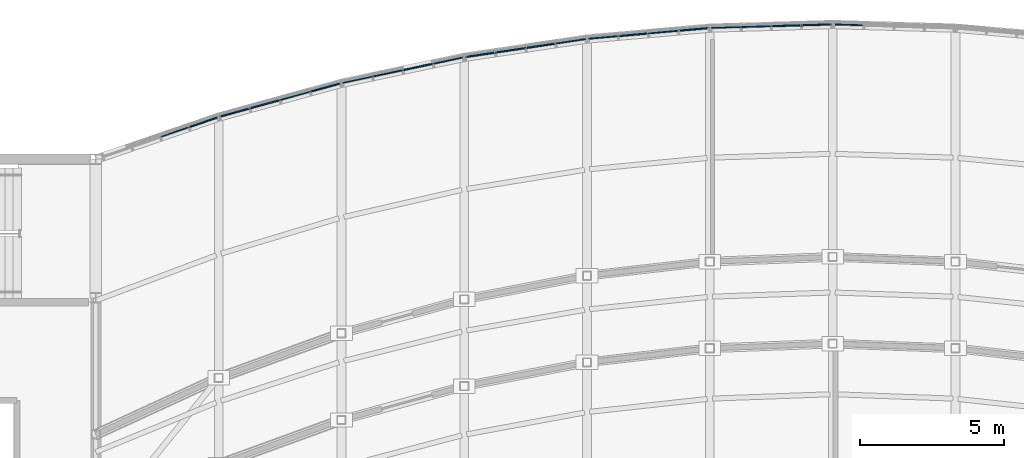
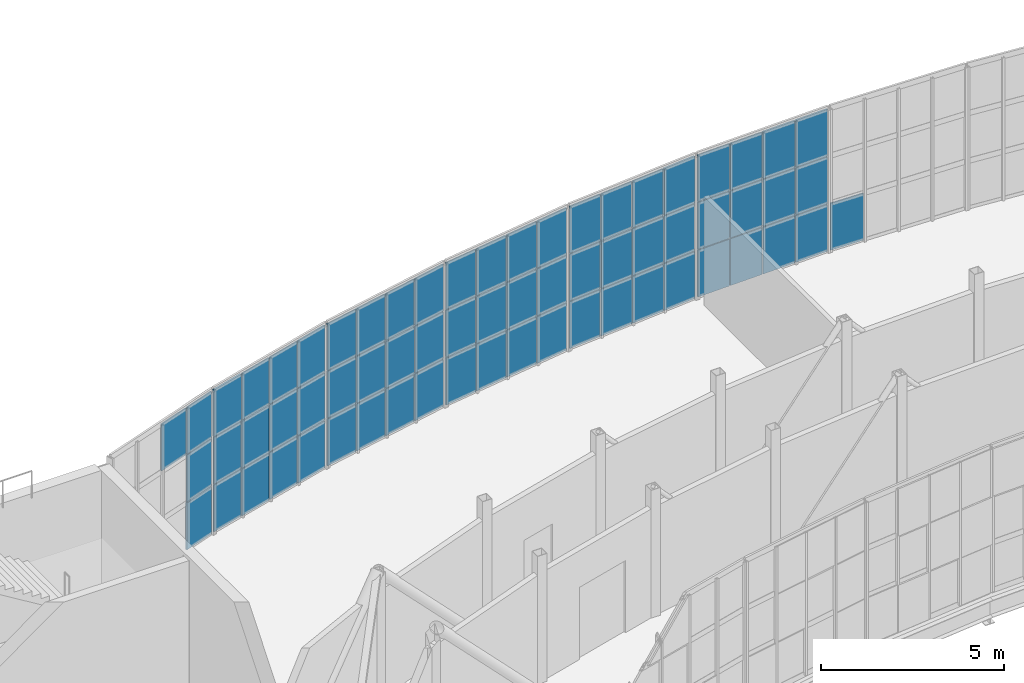
# One storey, part 37 of 46: 65 plates, 7 elements without a shape of their own.
"""IFC4 building model written with IfcOpenShell, lengths in metres."""

from ifc_helpers import new_model, si_unit, direction, frame, origin, origin_2d, place, context, subcontext, project, spatial, rectangle, extrude, material, layer, layer_set, type_object, element, aggregate, save


model = new_model("IFC4")

# Units and contexts
model_context = context("Model", 3, precision=1e-05, world=origin(), true_north=direction((0.0, 1.0)))
body_context = subcontext(model_context, "Body", "Model", "MODEL_VIEW")
ifc_project = project(units=[si_unit("LENGTHUNIT", "METRE"), si_unit("AREAUNIT", "SQUARE_METRE"), si_unit("VOLUMEUNIT", "CUBIC_METRE"), si_unit("PLANEANGLEUNIT", "RADIAN"), si_unit("MASSUNIT", "GRAM", prefix="KILO")], contexts=[model_context])

# Site, building, storey
site_placement = place(None, origin())
site = spatial("IfcSite", under=ifc_project, at=site_placement, CompositionType="ELEMENT")
building_placement = place(site_placement, origin())
building = spatial("IfcBuilding", under=site, at=building_placement, Name="Solvikara Media Centre", CompositionType="ELEMENT")
storey_placement = place(building_placement, frame((0.0, 0.0, 24.60009765625)))
storey = spatial("IfcBuildingStorey", under=building, at=storey_placement, Name="L05", CompositionType="ELEMENT", Elevation=24.60009765625)

# Curtain wall, plates
ifc_material_1 = material(Name="Anodised aluminium EN AW-6063", Category="aluminium")
curtain_wall_type = type_object("IfcCurtainWallType", Name="CW-02", PredefinedType="NOTDEFINED", material=ifc_material_1)
curtain_wall_1_placement = place(storey_placement, origin())
curtain_wall_1 = element("IfcCurtainWall", 1, at=curtain_wall_1_placement, inside=storey, type_object=curtain_wall_type, Name="CW-L05-NARC-00", PredefinedType="NOTDEFINED")
ifc_material_2 = material(Name="Laminated solar-control cyan vision glass", Category="glass")
ifc_layer_1 = layer(ifc_material_2, 0.035888671875)
ifc_layer_set_1 = layer_set([ifc_layer_1], Name="Laminated solar-control cyan vision glass")
plate_type_1 = type_object("IfcPlateType", Name="PN-01", PredefinedType="CURTAIN_PANEL", material=ifc_layer_set_1)
plate_1_placement = place(storey_placement, frame((79.22900390625, 37.737060546875, 3.20849609375), z_axis=(0.0, 0.0, 1.0), x_axis=(0.945711605144, 0.32500701515, 0.0)))
plate_1 = element("IfcPlate", 2, at=plate_1_placement, type_object=plate_type_1, Name="CW-L05-NARC-00-P0202", PredefinedType="CURTAIN_PANEL", context=body_context, shape_type="SweptSolid", body=[
    extrude(rectangle(XDim=1.01904296875, YDim=0.035888671875, at=origin_2d()), origin(), (0.0, 0.0, 1.0), 1.556884765625),
])
plate_2_placement = place(storey_placement, frame((80.220947265625, 38.077880859375, 1.62158203125), z_axis=(0.0, 0.0, 1.0), x_axis=(0.945711605144, 0.32500701515, 0.0)))
plate_2 = element("IfcPlate", 3, at=plate_2_placement, type_object=plate_type_1, Name="CW-L05-NARC-00-P0301", PredefinedType="CURTAIN_PANEL", context=body_context, shape_type="SweptSolid", body=[
    extrude(rectangle(XDim=1.01904296875, YDim=0.035888671875, at=origin_2d()), origin(), (0.0, 0.0, 1.0), 1.556884765625),
])
plate_3_placement = place(storey_placement, frame((80.220947265625, 38.077880859375, 3.20849609375), z_axis=(0.0, 0.0, 1.0), x_axis=(0.945711605144, 0.32500701515, 0.0)))
plate_3 = element("IfcPlate", 4, at=plate_3_placement, type_object=plate_type_1, Name="CW-L05-NARC-00-P0302", PredefinedType="CURTAIN_PANEL", context=body_context, shape_type="SweptSolid", body=[
    extrude(rectangle(XDim=1.01904296875, YDim=0.035888671875, at=origin_2d()), origin(), (0.0, 0.0, 1.0), 1.556884765625),
])

curtain_wall_2_placement = place(storey_placement, origin())
curtain_wall_2 = element("IfcCurtainWall", 5, at=curtain_wall_2_placement, inside=storey, type_object=curtain_wall_type, Name="CW-L05-NARC-01", PredefinedType="NOTDEFINED")
plate_4_placement = place(storey_placement, frame((81.306884765625, 38.4130859375, 0.03466796875), z_axis=(0.0, 0.0, 1.0), x_axis=(0.964030487854, 0.265791682504, 0.0)))
plate_4 = element("IfcPlate", 6, at=plate_4_placement, type_object=plate_type_1, Name="CW-L05-NARC-01-P0000", PredefinedType="CURTAIN_PANEL", context=body_context, shape_type="SweptSolid", body=[
    extrude(rectangle(XDim=1.054931640625, YDim=0.035888671875, at=origin_2d()), origin(), (0.0, 0.0, 1.0), 1.556884765625),
])
plate_5_placement = place(storey_placement, frame((82.35205078125, 38.700927734375, 3.20849609375), z_axis=(0.0, 0.0, 1.0), x_axis=(0.964030487854, 0.265791682504, 0.0)))
plate_5 = element("IfcPlate", 7, at=plate_5_placement, type_object=plate_type_1, Name="CW-L05-NARC-01-P0102", PredefinedType="CURTAIN_PANEL", context=body_context, shape_type="SweptSolid", body=[
    extrude(rectangle(XDim=1.054931640625, YDim=0.035888671875, at=origin_2d()), origin(), (0.0, 0.0, 1.0), 1.556884765625),
])
plate_6_placement = place(storey_placement, frame((83.39697265625, 38.989990234375, 0.03466796875), z_axis=(0.0, 0.0, 1.0), x_axis=(0.964030487854, 0.265791682504, 0.0)))
plate_6 = element("IfcPlate", 8, at=plate_6_placement, type_object=plate_type_1, Name="CW-L05-NARC-01-P0200", PredefinedType="CURTAIN_PANEL", context=body_context, shape_type="SweptSolid", body=[
    extrude(rectangle(XDim=1.054931640625, YDim=0.035888671875, at=origin_2d()), origin(), (0.0, 0.0, 1.0), 1.556884765625),
])
plate_7_placement = place(storey_placement, frame((83.39697265625, 38.989990234375, 1.62158203125), z_axis=(0.0, 0.0, 1.0), x_axis=(0.964030487854, 0.265791682504, 0.0)))
plate_7 = element("IfcPlate", 9, at=plate_7_placement, type_object=plate_type_1, Name="CW-L05-NARC-01-P0201", PredefinedType="CURTAIN_PANEL", context=body_context, shape_type="SweptSolid", body=[
    extrude(rectangle(XDim=1.054931640625, YDim=0.035888671875, at=origin_2d()), origin(), (0.0, 0.0, 1.0), 1.556884765625),
])
plate_8_placement = place(storey_placement, frame((83.39697265625, 38.989990234375, 3.20849609375), z_axis=(0.0, 0.0, 1.0), x_axis=(0.964030487854, 0.265791682504, 0.0)))
plate_8 = element("IfcPlate", 10, at=plate_8_placement, type_object=plate_type_1, Name="CW-L05-NARC-01-P0202", PredefinedType="CURTAIN_PANEL", context=body_context, shape_type="SweptSolid", body=[
    extrude(rectangle(XDim=1.054931640625, YDim=0.035888671875, at=origin_2d()), origin(), (0.0, 0.0, 1.0), 1.556884765625),
])

curtain_wall_3_placement = place(storey_placement, origin())
curtain_wall_3 = element("IfcCurtainWall", 11, at=curtain_wall_3_placement, inside=storey, type_object=curtain_wall_type, Name="CW-L05-NARC-02", PredefinedType="NOTDEFINED")
plate_9_placement = place(storey_placement, frame((85.555908203125, 39.548095703125, 0.03466796875), z_axis=(0.0, 0.0, 1.0), x_axis=(0.97837923005, 0.206818959981, 0.0)))
plate_9 = element("IfcPlate", 12, at=plate_9_placement, type_object=plate_type_1, Name="CW-L05-NARC-02-P0000", PredefinedType="CURTAIN_PANEL", context=body_context, shape_type="SweptSolid", body=[
    extrude(rectangle(XDim=1.0390625, YDim=0.035888671875, at=origin_2d()), origin(), (0.0, 0.0, 1.0), 1.556884765625),
])
plate_10_placement = place(storey_placement, frame((85.555908203125, 39.548095703125, 1.62158203125), z_axis=(0.0, 0.0, 1.0), x_axis=(0.97837923005, 0.206818959981, 0.0)))
plate_10 = element("IfcPlate", 13, at=plate_10_placement, type_object=plate_type_1, Name="CW-L05-NARC-02-P0001", PredefinedType="CURTAIN_PANEL", context=body_context, shape_type="SweptSolid", body=[
    extrude(rectangle(XDim=1.0390625, YDim=0.035888671875, at=origin_2d()), origin(), (0.0, 0.0, 1.0), 1.556884765625),
])
plate_11_placement = place(storey_placement, frame((85.555908203125, 39.548095703125, 3.20849609375), z_axis=(0.0, 0.0, 1.0), x_axis=(0.97837923005, 0.206818959981, 0.0)))
plate_11 = element("IfcPlate", 14, at=plate_11_placement, type_object=plate_type_1, Name="CW-L05-NARC-02-P0002", PredefinedType="CURTAIN_PANEL", context=body_context, shape_type="SweptSolid", body=[
    extrude(rectangle(XDim=1.0390625, YDim=0.035888671875, at=origin_2d()), origin(), (0.0, 0.0, 1.0), 1.556884765625),
])
plate_12_placement = place(storey_placement, frame((87.64794921875, 39.990966796875, 0.03466796875), z_axis=(0.0, 0.0, 1.0), x_axis=(0.97837923005, 0.206818959981, 0.0)))
plate_12 = element("IfcPlate", 15, at=plate_12_placement, type_object=plate_type_1, Name="CW-L05-NARC-02-P0200", PredefinedType="CURTAIN_PANEL", context=body_context, shape_type="SweptSolid", body=[
    extrude(rectangle(XDim=1.0390625, YDim=0.035888671875, at=origin_2d()), origin(), (0.0, 0.0, 1.0), 1.556884765625),
])
plate_13_placement = place(storey_placement, frame((87.64794921875, 39.990966796875, 3.20849609375), z_axis=(0.0, 0.0, 1.0), x_axis=(0.97837923005, 0.206818959981, 0.0)))
plate_13 = element("IfcPlate", 16, at=plate_13_placement, type_object=plate_type_1, Name="CW-L05-NARC-02-P0202", PredefinedType="CURTAIN_PANEL", context=body_context, shape_type="SweptSolid", body=[
    extrude(rectangle(XDim=1.0390625, YDim=0.035888671875, at=origin_2d()), origin(), (0.0, 0.0, 1.0), 1.556884765625),
])
plate_14_placement = place(storey_placement, frame((88.693115234375, 40.2109375, 0.03466796875), z_axis=(0.0, 0.0, 1.0), x_axis=(0.97837923005, 0.206818959981, 0.0)))
plate_14 = element("IfcPlate", 17, at=plate_14_placement, type_object=plate_type_1, Name="CW-L05-NARC-02-P0300", PredefinedType="CURTAIN_PANEL", context=body_context, shape_type="SweptSolid", body=[
    extrude(rectangle(XDim=1.0390625, YDim=0.035888671875, at=origin_2d()), origin(), (0.0, 0.0, 1.0), 1.556884765625),
])
plate_15_placement = place(storey_placement, frame((88.693115234375, 40.2109375, 1.62158203125), z_axis=(0.0, 0.0, 1.0), x_axis=(0.97837923005, 0.206818959981, 0.0)))
plate_15 = element("IfcPlate", 18, at=plate_15_placement, type_object=plate_type_1, Name="CW-L05-NARC-02-P0301", PredefinedType="CURTAIN_PANEL", context=body_context, shape_type="SweptSolid", body=[
    extrude(rectangle(XDim=1.0390625, YDim=0.035888671875, at=origin_2d()), origin(), (0.0, 0.0, 1.0), 1.556884765625),
])

curtain_wall_4_placement = place(storey_placement, origin())
curtain_wall_4 = element("IfcCurtainWall", 19, at=curtain_wall_4_placement, inside=storey, type_object=curtain_wall_type, Name="CW-L05-NARC-03", PredefinedType="NOTDEFINED")
plate_16_placement = place(storey_placement, frame((89.806884765625, 40.412109375, 3.20849609375), z_axis=(0.0, 0.0, 1.0), x_axis=(0.989005541908, 0.147878457102, 0.0)))
plate_16 = element("IfcPlate", 20, at=plate_16_placement, type_object=plate_type_1, Name="CW-L05-NARC-03-P0002", PredefinedType="CURTAIN_PANEL", context=body_context, shape_type="SweptSolid", body=[
    extrude(rectangle(XDim=1.027099609375, YDim=0.035888671875, at=origin_2d()), origin(), (0.0, 0.0, 1.0), 1.556884765625),
])
plate_17_placement = place(storey_placement, frame((91.89794921875, 40.72509765625, 0.03466796875), z_axis=(0.0, 0.0, 1.0), x_axis=(0.989005541908, 0.147878457102, 0.0)))
plate_17 = element("IfcPlate", 21, at=plate_17_placement, type_object=plate_type_1, Name="CW-L05-NARC-03-P0200", PredefinedType="CURTAIN_PANEL", context=body_context, shape_type="SweptSolid", body=[
    extrude(rectangle(XDim=1.027099609375, YDim=0.035888671875, at=origin_2d()), origin(), (0.0, 0.0, 1.0), 1.556884765625),
])

curtain_wall_5_placement = place(storey_placement, origin())
curtain_wall_5 = element("IfcCurtainWall", 22, at=curtain_wall_5_placement, inside=storey, type_object=curtain_wall_type, Name="CW-L05-NARC-04", PredefinedType="NOTDEFINED")
plate_18_placement = place(storey_placement, frame((94.05810546875, 41.012939453125, 0.03466796875), z_axis=(0.0, 0.0, 1.0), x_axis=(0.99608438842, 0.088407528781, 0.0)))
plate_18 = element("IfcPlate", 23, at=plate_18_placement, type_object=plate_type_1, Name="CW-L05-NARC-04-P0000", PredefinedType="CURTAIN_PANEL", context=body_context, shape_type="SweptSolid", body=[
    extrude(rectangle(XDim=1.01904296875, YDim=0.035888671875, at=origin_2d()), origin(), (0.0, 0.0, 1.0), 1.556884765625),
])
plate_19_placement = place(storey_placement, frame((94.05810546875, 41.012939453125, 1.62158203125), z_axis=(0.0, 0.0, 1.0), x_axis=(0.99608438842, 0.088407528781, 0.0)))
plate_19 = element("IfcPlate", 24, at=plate_19_placement, type_object=plate_type_1, Name="CW-L05-NARC-04-P0001", PredefinedType="CURTAIN_PANEL", context=body_context, shape_type="SweptSolid", body=[
    extrude(rectangle(XDim=1.01904296875, YDim=0.035888671875, at=origin_2d()), origin(), (0.0, 0.0, 1.0), 1.556884765625),
])
plate_20_placement = place(storey_placement, frame((95.10302734375, 41.10595703125, 3.20849609375), z_axis=(0.0, 0.0, 1.0), x_axis=(0.99608438842, 0.088407528781, 0.0)))
plate_20 = element("IfcPlate", 25, at=plate_20_placement, type_object=plate_type_1, Name="CW-L05-NARC-04-P0102", PredefinedType="CURTAIN_PANEL", context=body_context, shape_type="SweptSolid", body=[
    extrude(rectangle(XDim=1.01904296875, YDim=0.035888671875, at=origin_2d()), origin(), (0.0, 0.0, 1.0), 1.556884765625),
])
plate_21_placement = place(storey_placement, frame((96.14794921875, 41.198974609375, 3.20849609375), z_axis=(0.0, 0.0, 1.0), x_axis=(0.99608438842, 0.088407528781, 0.0)))
plate_21 = element("IfcPlate", 26, at=plate_21_placement, type_object=plate_type_1, Name="CW-L05-NARC-04-P0202", PredefinedType="CURTAIN_PANEL", context=body_context, shape_type="SweptSolid", body=[
    extrude(rectangle(XDim=1.01904296875, YDim=0.035888671875, at=origin_2d()), origin(), (0.0, 0.0, 1.0), 1.556884765625),
])
plate_22_placement = place(storey_placement, frame((97.193115234375, 41.2919921875, 1.62158203125), z_axis=(0.0, 0.0, 1.0), x_axis=(0.99608438842, 0.088407528781, 0.0)))
plate_22 = element("IfcPlate", 27, at=plate_22_placement, type_object=plate_type_1, Name="CW-L05-NARC-04-P0301", PredefinedType="CURTAIN_PANEL", context=body_context, shape_type="SweptSolid", body=[
    extrude(rectangle(XDim=1.01904296875, YDim=0.035888671875, at=origin_2d()), origin(), (0.0, 0.0, 1.0), 1.556884765625),
])

curtain_wall_6_placement = place(storey_placement, origin())
curtain_wall_6 = element("IfcCurtainWall", 28, at=curtain_wall_6_placement, inside=storey, type_object=curtain_wall_type, Name="CW-L05-NARC-05", PredefinedType="NOTDEFINED")
plate_23_placement = place(storey_placement, frame((98.30810546875, 41.35791015625, 0.03466796875), z_axis=(0.0, 0.0, 1.0), x_axis=(0.999560377741, 0.02964879847, 0.0)))
plate_23 = element("IfcPlate", 29, at=plate_23_placement, type_object=plate_type_1, Name="CW-L05-NARC-05-P0000", PredefinedType="CURTAIN_PANEL", context=body_context, shape_type="SweptSolid", body=[
    extrude(rectangle(XDim=1.014892578125, YDim=0.035888671875, at=origin_2d()), origin(), (0.0, 0.0, 1.0), 1.556884765625),
])
plate_24_placement = place(storey_placement, frame((98.30810546875, 41.35791015625, 1.62158203125), z_axis=(0.0, 0.0, 1.0), x_axis=(0.999560377741, 0.02964879847, 0.0)))
plate_24 = element("IfcPlate", 30, at=plate_24_placement, type_object=plate_type_1, Name="CW-L05-NARC-05-P0001", PredefinedType="CURTAIN_PANEL", context=body_context, shape_type="SweptSolid", body=[
    extrude(rectangle(XDim=1.014892578125, YDim=0.035888671875, at=origin_2d()), origin(), (0.0, 0.0, 1.0), 1.556884765625),
])
plate_25_placement = place(storey_placement, frame((98.30810546875, 41.35791015625, 3.20849609375), z_axis=(0.0, 0.0, 1.0), x_axis=(0.999560377741, 0.02964879847, 0.0)))
plate_25 = element("IfcPlate", 31, at=plate_25_placement, type_object=plate_type_1, Name="CW-L05-NARC-05-P0002", PredefinedType="CURTAIN_PANEL", context=body_context, shape_type="SweptSolid", body=[
    extrude(rectangle(XDim=1.014892578125, YDim=0.035888671875, at=origin_2d()), origin(), (0.0, 0.0, 1.0), 1.556884765625),
])
plate_26_placement = place(storey_placement, frame((99.35205078125, 41.387939453125, 0.03466796875), z_axis=(0.0, 0.0, 1.0), x_axis=(0.999560377741, 0.02964879847, 0.0)))
plate_26 = element("IfcPlate", 32, at=plate_26_placement, type_object=plate_type_1, Name="CW-L05-NARC-05-P0100", PredefinedType="CURTAIN_PANEL", context=body_context, shape_type="SweptSolid", body=[
    extrude(rectangle(XDim=1.014892578125, YDim=0.035888671875, at=origin_2d()), origin(), (0.0, 0.0, 1.0), 1.556884765625),
])
plate_27_placement = place(storey_placement, frame((101.44189453125, 41.449951171875, 0.03466796875), z_axis=(0.0, 0.0, 1.0), x_axis=(0.999560377741, 0.02964879847, 0.0)))
plate_27 = element("IfcPlate", 33, at=plate_27_placement, type_object=plate_type_1, Name="CW-L05-NARC-05-P0300", PredefinedType="CURTAIN_PANEL", context=body_context, shape_type="SweptSolid", body=[
    extrude(rectangle(XDim=1.014892578125, YDim=0.035888671875, at=origin_2d()), origin(), (0.0, 0.0, 1.0), 1.556884765625),
])

# Plate
ifc_material_3 = material(Name="Ceramic-fritted teal low-E glass", Category="glass")
ifc_layer_2 = layer(ifc_material_3, 0.0419921875)
ifc_layer_set_2 = layer_set([ifc_layer_2], Name="Ceramic-fritted teal low-E glass")
plate_type_2 = type_object("IfcPlateType", Name="PN-02", PredefinedType="CURTAIN_PANEL", material=ifc_layer_set_2)
plate_28_placement = place(storey_placement, frame((81.306884765625, 38.4130859375, 1.62158203125), z_axis=(0.0, 0.0, 1.0), x_axis=(0.964030487854, 0.265791682504, 0.0)))
plate_28 = element("IfcPlate", 34, at=plate_28_placement, type_object=plate_type_2, Name="CW-L05-NARC-01-P0001", PredefinedType="CURTAIN_PANEL", context=body_context, shape_type="SweptSolid", body=[
    extrude(rectangle(XDim=1.054931640625, YDim=0.0419921875, at=origin_2d()), origin(), (0.0, 0.0, 1.0), 1.556884765625),
])

plate_29_placement = place(storey_placement, frame((84.443115234375, 39.278076171875, 1.62158203125), z_axis=(0.0, 0.0, 1.0), x_axis=(0.964030487854, 0.265791682504, 0.0)))
plate_29 = element("IfcPlate", 35, at=plate_29_placement, type_object=plate_type_2, Name="CW-L05-NARC-01-P0301", PredefinedType="CURTAIN_PANEL", context=body_context, shape_type="SweptSolid", body=[
    extrude(rectangle(XDim=1.054931640625, YDim=0.0419921875, at=origin_2d()), origin(), (0.0, 0.0, 1.0), 1.556884765625),
])

plate_30_placement = place(storey_placement, frame((84.443115234375, 39.278076171875, 3.20849609375), z_axis=(0.0, 0.0, 1.0), x_axis=(0.964030487854, 0.265791682504, 0.0)))
plate_30 = element("IfcPlate", 36, at=plate_30_placement, type_object=plate_type_2, Name="CW-L05-NARC-01-P0302", PredefinedType="CURTAIN_PANEL", context=body_context, shape_type="SweptSolid", body=[
    extrude(rectangle(XDim=1.054931640625, YDim=0.0419921875, at=origin_2d()), origin(), (0.0, 0.0, 1.0), 1.556884765625),
])

plate_31_placement = place(storey_placement, frame((86.60205078125, 39.77001953125, 0.03466796875), z_axis=(0.0, 0.0, 1.0), x_axis=(0.97837923005, 0.206818959981, 0.0)))
plate_31 = element("IfcPlate", 37, at=plate_31_placement, type_object=plate_type_2, Name="CW-L05-NARC-02-P0100", PredefinedType="CURTAIN_PANEL", context=body_context, shape_type="SweptSolid", body=[
    extrude(rectangle(XDim=1.0390625, YDim=0.0419921875, at=origin_2d()), origin(), (0.0, 0.0, 1.0), 1.556884765625),
])

plate_32_placement = place(storey_placement, frame((86.60205078125, 39.77001953125, 1.62158203125), z_axis=(0.0, 0.0, 1.0), x_axis=(0.97837923005, 0.206818959981, 0.0)))
plate_32 = element("IfcPlate", 38, at=plate_32_placement, type_object=plate_type_2, Name="CW-L05-NARC-02-P0101", PredefinedType="CURTAIN_PANEL", context=body_context, shape_type="SweptSolid", body=[
    extrude(rectangle(XDim=1.0390625, YDim=0.0419921875, at=origin_2d()), origin(), (0.0, 0.0, 1.0), 1.556884765625),
])

plate_33_placement = place(storey_placement, frame((86.60205078125, 39.77001953125, 3.20849609375), z_axis=(0.0, 0.0, 1.0), x_axis=(0.97837923005, 0.206818959981, 0.0)))
plate_33 = element("IfcPlate", 39, at=plate_33_placement, type_object=plate_type_2, Name="CW-L05-NARC-02-P0102", PredefinedType="CURTAIN_PANEL", context=body_context, shape_type="SweptSolid", body=[
    extrude(rectangle(XDim=1.0390625, YDim=0.0419921875, at=origin_2d()), origin(), (0.0, 0.0, 1.0), 1.556884765625),
])

plate_34_placement = place(storey_placement, frame((88.693115234375, 40.2109375, 3.20849609375), z_axis=(0.0, 0.0, 1.0), x_axis=(0.97837923005, 0.206818959981, 0.0)))
plate_34 = element("IfcPlate", 40, at=plate_34_placement, type_object=plate_type_2, Name="CW-L05-NARC-02-P0302", PredefinedType="CURTAIN_PANEL", context=body_context, shape_type="SweptSolid", body=[
    extrude(rectangle(XDim=1.0390625, YDim=0.0419921875, at=origin_2d()), origin(), (0.0, 0.0, 1.0), 1.556884765625),
])

plate_35_placement = place(storey_placement, frame((89.806884765625, 40.412109375, 1.62158203125), z_axis=(0.0, 0.0, 1.0), x_axis=(0.989005541908, 0.147878457102, 0.0)))
plate_35 = element("IfcPlate", 41, at=plate_35_placement, type_object=plate_type_2, Name="CW-L05-NARC-03-P0001", PredefinedType="CURTAIN_PANEL", context=body_context, shape_type="SweptSolid", body=[
    extrude(rectangle(XDim=1.027099609375, YDim=0.0419921875, at=origin_2d()), origin(), (0.0, 0.0, 1.0), 1.556884765625),
])

plate_36_placement = place(storey_placement, frame((90.85302734375, 40.568115234375, 0.03466796875), z_axis=(0.0, 0.0, 1.0), x_axis=(0.989005541908, 0.147878457102, 0.0)))
plate_36 = element("IfcPlate", 42, at=plate_36_placement, type_object=plate_type_2, Name="CW-L05-NARC-03-P0100", PredefinedType="CURTAIN_PANEL", context=body_context, shape_type="SweptSolid", body=[
    extrude(rectangle(XDim=1.027099609375, YDim=0.0419921875, at=origin_2d()), origin(), (0.0, 0.0, 1.0), 1.556884765625),
])

plate_37_placement = place(storey_placement, frame((90.85302734375, 40.568115234375, 3.20849609375), z_axis=(0.0, 0.0, 1.0), x_axis=(0.989005541908, 0.147878457102, 0.0)))
plate_37 = element("IfcPlate", 43, at=plate_37_placement, type_object=plate_type_2, Name="CW-L05-NARC-03-P0102", PredefinedType="CURTAIN_PANEL", context=body_context, shape_type="SweptSolid", body=[
    extrude(rectangle(XDim=1.027099609375, YDim=0.0419921875, at=origin_2d()), origin(), (0.0, 0.0, 1.0), 1.556884765625),
])

plate_38_placement = place(storey_placement, frame((91.89794921875, 40.72509765625, 3.20849609375), z_axis=(0.0, 0.0, 1.0), x_axis=(0.989005541908, 0.147878457102, 0.0)))
plate_38 = element("IfcPlate", 44, at=plate_38_placement, type_object=plate_type_2, Name="CW-L05-NARC-03-P0202", PredefinedType="CURTAIN_PANEL", context=body_context, shape_type="SweptSolid", body=[
    extrude(rectangle(XDim=1.027099609375, YDim=0.0419921875, at=origin_2d()), origin(), (0.0, 0.0, 1.0), 1.556884765625),
])

plate_39_placement = place(storey_placement, frame((92.94189453125, 40.881103515625, 0.03466796875), z_axis=(0.0, 0.0, 1.0), x_axis=(0.989005541908, 0.147878457102, 0.0)))
plate_39 = element("IfcPlate", 45, at=plate_39_placement, type_object=plate_type_2, Name="CW-L05-NARC-03-P0300", PredefinedType="CURTAIN_PANEL", context=body_context, shape_type="SweptSolid", body=[
    extrude(rectangle(XDim=1.027099609375, YDim=0.0419921875, at=origin_2d()), origin(), (0.0, 0.0, 1.0), 1.556884765625),
])

plate_40_placement = place(storey_placement, frame((92.94189453125, 40.881103515625, 1.62158203125), z_axis=(0.0, 0.0, 1.0), x_axis=(0.989005541908, 0.147878457102, 0.0)))
plate_40 = element("IfcPlate", 46, at=plate_40_placement, type_object=plate_type_2, Name="CW-L05-NARC-03-P0301", PredefinedType="CURTAIN_PANEL", context=body_context, shape_type="SweptSolid", body=[
    extrude(rectangle(XDim=1.027099609375, YDim=0.0419921875, at=origin_2d()), origin(), (0.0, 0.0, 1.0), 1.556884765625),
])

plate_41_placement = place(storey_placement, frame((92.94189453125, 40.881103515625, 3.20849609375), z_axis=(0.0, 0.0, 1.0), x_axis=(0.989005541908, 0.147878457102, 0.0)))
plate_41 = element("IfcPlate", 47, at=plate_41_placement, type_object=plate_type_2, Name="CW-L05-NARC-03-P0302", PredefinedType="CURTAIN_PANEL", context=body_context, shape_type="SweptSolid", body=[
    extrude(rectangle(XDim=1.027099609375, YDim=0.0419921875, at=origin_2d()), origin(), (0.0, 0.0, 1.0), 1.556884765625),
])

plate_42_placement = place(storey_placement, frame((94.05810546875, 41.012939453125, 3.20849609375), z_axis=(0.0, 0.0, 1.0), x_axis=(0.99608438842, 0.088407528781, 0.0)))
plate_42 = element("IfcPlate", 48, at=plate_42_placement, type_object=plate_type_2, Name="CW-L05-NARC-04-P0002", PredefinedType="CURTAIN_PANEL", context=body_context, shape_type="SweptSolid", body=[
    extrude(rectangle(XDim=1.01904296875, YDim=0.0419921875, at=origin_2d()), origin(), (0.0, 0.0, 1.0), 1.556884765625),
])

plate_43_placement = place(storey_placement, frame((95.10302734375, 41.10595703125, 0.03466796875), z_axis=(0.0, 0.0, 1.0), x_axis=(0.99608438842, 0.088407528781, 0.0)))
plate_43 = element("IfcPlate", 49, at=plate_43_placement, type_object=plate_type_2, Name="CW-L05-NARC-04-P0100", PredefinedType="CURTAIN_PANEL", context=body_context, shape_type="SweptSolid", body=[
    extrude(rectangle(XDim=1.01904296875, YDim=0.0419921875, at=origin_2d()), origin(), (0.0, 0.0, 1.0), 1.556884765625),
])

plate_44_placement = place(storey_placement, frame((96.14794921875, 41.198974609375, 0.03466796875), z_axis=(0.0, 0.0, 1.0), x_axis=(0.99608438842, 0.088407528781, 0.0)))
plate_44 = element("IfcPlate", 50, at=plate_44_placement, type_object=plate_type_2, Name="CW-L05-NARC-04-P0200", PredefinedType="CURTAIN_PANEL", context=body_context, shape_type="SweptSolid", body=[
    extrude(rectangle(XDim=1.01904296875, YDim=0.0419921875, at=origin_2d()), origin(), (0.0, 0.0, 1.0), 1.556884765625),
])

plate_45_placement = place(storey_placement, frame((96.14794921875, 41.198974609375, 1.62158203125), z_axis=(0.0, 0.0, 1.0), x_axis=(0.99608438842, 0.088407528781, 0.0)))
plate_45 = element("IfcPlate", 51, at=plate_45_placement, type_object=plate_type_2, Name="CW-L05-NARC-04-P0201", PredefinedType="CURTAIN_PANEL", context=body_context, shape_type="SweptSolid", body=[
    extrude(rectangle(XDim=1.01904296875, YDim=0.0419921875, at=origin_2d()), origin(), (0.0, 0.0, 1.0), 1.556884765625),
])

plate_46_placement = place(storey_placement, frame((97.193115234375, 41.2919921875, 0.03466796875), z_axis=(0.0, 0.0, 1.0), x_axis=(0.99608438842, 0.088407528781, 0.0)))
plate_46 = element("IfcPlate", 52, at=plate_46_placement, type_object=plate_type_2, Name="CW-L05-NARC-04-P0300", PredefinedType="CURTAIN_PANEL", context=body_context, shape_type="SweptSolid", body=[
    extrude(rectangle(XDim=1.01904296875, YDim=0.0419921875, at=origin_2d()), origin(), (0.0, 0.0, 1.0), 1.556884765625),
])

plate_47_placement = place(storey_placement, frame((99.35205078125, 41.387939453125, 1.62158203125), z_axis=(0.0, 0.0, 1.0), x_axis=(0.999560377741, 0.02964879847, 0.0)))
plate_47 = element("IfcPlate", 53, at=plate_47_placement, type_object=plate_type_2, Name="CW-L05-NARC-05-P0101", PredefinedType="CURTAIN_PANEL", context=body_context, shape_type="SweptSolid", body=[
    extrude(rectangle(XDim=1.014892578125, YDim=0.0419921875, at=origin_2d()), origin(), (0.0, 0.0, 1.0), 1.556884765625),
])

plate_48_placement = place(storey_placement, frame((99.35205078125, 41.387939453125, 3.20849609375), z_axis=(0.0, 0.0, 1.0), x_axis=(0.999560377741, 0.02964879847, 0.0)))
plate_48 = element("IfcPlate", 54, at=plate_48_placement, type_object=plate_type_2, Name="CW-L05-NARC-05-P0102", PredefinedType="CURTAIN_PANEL", context=body_context, shape_type="SweptSolid", body=[
    extrude(rectangle(XDim=1.014892578125, YDim=0.0419921875, at=origin_2d()), origin(), (0.0, 0.0, 1.0), 1.556884765625),
])

plate_49_placement = place(storey_placement, frame((100.39794921875, 41.419921875, 0.03466796875), z_axis=(0.0, 0.0, 1.0), x_axis=(0.999560377741, 0.02964879847, 0.0)))
plate_49 = element("IfcPlate", 55, at=plate_49_placement, type_object=plate_type_2, Name="CW-L05-NARC-05-P0200", PredefinedType="CURTAIN_PANEL", context=body_context, shape_type="SweptSolid", body=[
    extrude(rectangle(XDim=1.014892578125, YDim=0.0419921875, at=origin_2d()), origin(), (0.0, 0.0, 1.0), 1.556884765625),
])

plate_50_placement = place(storey_placement, frame((100.39794921875, 41.419921875, 1.62158203125), z_axis=(0.0, 0.0, 1.0), x_axis=(0.999560377741, 0.02964879847, 0.0)))
plate_50 = element("IfcPlate", 56, at=plate_50_placement, type_object=plate_type_2, Name="CW-L05-NARC-05-P0201", PredefinedType="CURTAIN_PANEL", context=body_context, shape_type="SweptSolid", body=[
    extrude(rectangle(XDim=1.014892578125, YDim=0.0419921875, at=origin_2d()), origin(), (0.0, 0.0, 1.0), 1.556884765625),
])

plate_51_placement = place(storey_placement, frame((101.44189453125, 41.449951171875, 1.62158203125), z_axis=(0.0, 0.0, 1.0), x_axis=(0.999560377741, 0.02964879847, 0.0)))
plate_51 = element("IfcPlate", 57, at=plate_51_placement, type_object=plate_type_2, Name="CW-L05-NARC-05-P0301", PredefinedType="CURTAIN_PANEL", context=body_context, shape_type="SweptSolid", body=[
    extrude(rectangle(XDim=1.014892578125, YDim=0.0419921875, at=origin_2d()), origin(), (0.0, 0.0, 1.0), 1.556884765625),
])

# Curtain wall, plate
curtain_wall_7_placement = place(storey_placement, origin())
curtain_wall_7 = element("IfcCurtainWall", 58, at=curtain_wall_7_placement, inside=storey, type_object=curtain_wall_type, Name="CW-L05-NARC-06", PredefinedType="NOTDEFINED")
plate_52_placement = place(storey_placement, frame((102.55810546875, 41.449951171875, 0.03466796875), z_axis=(0.0, 0.0, 1.0), x_axis=(0.999560377741, -0.02964879847, 0.0)))
plate_52 = element("IfcPlate", 59, at=plate_52_placement, type_object=plate_type_2, Name="CW-L05-NARC-06-P0000", PredefinedType="CURTAIN_PANEL", context=body_context, shape_type="SweptSolid", body=[
    extrude(rectangle(XDim=1.014892578125, YDim=0.0419921875, at=origin_2d()), origin(), (0.0, 0.0, 1.0), 1.556884765625),
])
aggregate(curtain_wall_7, [plate_52])

# Plate
ifc_material_4 = material(Name="Insulated silver-pearl glass spandrel panel", Category="glass")
ifc_layer_3 = layer(ifc_material_4, 0.054931640625)
ifc_layer_set_3 = layer_set([ifc_layer_3], Name="Insulated silver-pearl glass spandrel panel")
plate_type_3 = type_object("IfcPlateType", Name="PN-03", PredefinedType="CURTAIN_PANEL", material=ifc_layer_set_3)
plate_53_placement = place(storey_placement, frame((80.220947265625, 38.077880859375, 0.03466796875), z_axis=(0.0, 0.0, 1.0), x_axis=(0.945711605144, 0.32500701515, 0.0)))
plate_53 = element("IfcPlate", 60, at=plate_53_placement, type_object=plate_type_3, Name="CW-L05-NARC-00-P0300", PredefinedType="CURTAIN_PANEL", context=body_context, shape_type="SweptSolid", body=[
    extrude(rectangle(XDim=1.01904296875, YDim=0.054931640625, at=origin_2d()), origin(), (0.0, 0.0, 1.0), 1.556884765625),
])

aggregate(curtain_wall_1, [plate_1, plate_53, plate_2, plate_3])

plate_54_placement = place(storey_placement, frame((81.306884765625, 38.4130859375, 3.20849609375), z_axis=(0.0, 0.0, 1.0), x_axis=(0.964030487854, 0.265791682504, 0.0)))
plate_54 = element("IfcPlate", 61, at=plate_54_placement, type_object=plate_type_3, Name="CW-L05-NARC-01-P0002", PredefinedType="CURTAIN_PANEL", context=body_context, shape_type="SweptSolid", body=[
    extrude(rectangle(XDim=1.054931640625, YDim=0.054931640625, at=origin_2d()), origin(), (0.0, 0.0, 1.0), 1.556884765625),
])

plate_55_placement = place(storey_placement, frame((82.35205078125, 38.700927734375, 0.03466796875), z_axis=(0.0, 0.0, 1.0), x_axis=(0.964030487854, 0.265791682504, 0.0)))
plate_55 = element("IfcPlate", 62, at=plate_55_placement, type_object=plate_type_3, Name="CW-L05-NARC-01-P0100", PredefinedType="CURTAIN_PANEL", context=body_context, shape_type="SweptSolid", body=[
    extrude(rectangle(XDim=1.054931640625, YDim=0.054931640625, at=origin_2d()), origin(), (0.0, 0.0, 1.0), 1.556884765625),
])

plate_56_placement = place(storey_placement, frame((82.35205078125, 38.700927734375, 1.62158203125), z_axis=(0.0, 0.0, 1.0), x_axis=(0.964030487854, 0.265791682504, 0.0)))
plate_56 = element("IfcPlate", 63, at=plate_56_placement, type_object=plate_type_3, Name="CW-L05-NARC-01-P0101", PredefinedType="CURTAIN_PANEL", context=body_context, shape_type="SweptSolid", body=[
    extrude(rectangle(XDim=1.054931640625, YDim=0.054931640625, at=origin_2d()), origin(), (0.0, 0.0, 1.0), 1.556884765625),
])

plate_57_placement = place(storey_placement, frame((84.443115234375, 39.278076171875, 0.03466796875), z_axis=(0.0, 0.0, 1.0), x_axis=(0.964030487854, 0.265791682504, 0.0)))
plate_57 = element("IfcPlate", 64, at=plate_57_placement, type_object=plate_type_3, Name="CW-L05-NARC-01-P0300", PredefinedType="CURTAIN_PANEL", context=body_context, shape_type="SweptSolid", body=[
    extrude(rectangle(XDim=1.054931640625, YDim=0.054931640625, at=origin_2d()), origin(), (0.0, 0.0, 1.0), 1.556884765625),
])

aggregate(curtain_wall_2, [plate_4, plate_28, plate_54, plate_55, plate_56, plate_5, plate_6, plate_7, plate_8, plate_57, plate_29, plate_30])

plate_58_placement = place(storey_placement, frame((87.64794921875, 39.990966796875, 1.62158203125), z_axis=(0.0, 0.0, 1.0), x_axis=(0.97837923005, 0.206818959981, 0.0)))
plate_58 = element("IfcPlate", 65, at=plate_58_placement, type_object=plate_type_3, Name="CW-L05-NARC-02-P0201", PredefinedType="CURTAIN_PANEL", context=body_context, shape_type="SweptSolid", body=[
    extrude(rectangle(XDim=1.0390625, YDim=0.054931640625, at=origin_2d()), origin(), (0.0, 0.0, 1.0), 1.556884765625),
])

aggregate(curtain_wall_3, [plate_9, plate_10, plate_11, plate_31, plate_32, plate_33, plate_12, plate_58, plate_13, plate_14, plate_15, plate_34])

plate_59_placement = place(storey_placement, frame((89.806884765625, 40.412109375, 0.03466796875), z_axis=(0.0, 0.0, 1.0), x_axis=(0.989005541908, 0.147878457102, 0.0)))
plate_59 = element("IfcPlate", 66, at=plate_59_placement, type_object=plate_type_3, Name="CW-L05-NARC-03-P0000", PredefinedType="CURTAIN_PANEL", context=body_context, shape_type="SweptSolid", body=[
    extrude(rectangle(XDim=1.027099609375, YDim=0.054931640625, at=origin_2d()), origin(), (0.0, 0.0, 1.0), 1.556884765625),
])

plate_60_placement = place(storey_placement, frame((90.85302734375, 40.568115234375, 1.62158203125), z_axis=(0.0, 0.0, 1.0), x_axis=(0.989005541908, 0.147878457102, 0.0)))
plate_60 = element("IfcPlate", 67, at=plate_60_placement, type_object=plate_type_3, Name="CW-L05-NARC-03-P0101", PredefinedType="CURTAIN_PANEL", context=body_context, shape_type="SweptSolid", body=[
    extrude(rectangle(XDim=1.027099609375, YDim=0.054931640625, at=origin_2d()), origin(), (0.0, 0.0, 1.0), 1.556884765625),
])

plate_61_placement = place(storey_placement, frame((91.89794921875, 40.72509765625, 1.62158203125), z_axis=(0.0, 0.0, 1.0), x_axis=(0.989005541908, 0.147878457102, 0.0)))
plate_61 = element("IfcPlate", 68, at=plate_61_placement, type_object=plate_type_3, Name="CW-L05-NARC-03-P0201", PredefinedType="CURTAIN_PANEL", context=body_context, shape_type="SweptSolid", body=[
    extrude(rectangle(XDim=1.027099609375, YDim=0.054931640625, at=origin_2d()), origin(), (0.0, 0.0, 1.0), 1.556884765625),
])

aggregate(curtain_wall_4, [plate_59, plate_35, plate_16, plate_36, plate_60, plate_37, plate_17, plate_61, plate_38, plate_39, plate_40, plate_41])

plate_62_placement = place(storey_placement, frame((95.10302734375, 41.10595703125, 1.62158203125), z_axis=(0.0, 0.0, 1.0), x_axis=(0.99608438842, 0.088407528781, 0.0)))
plate_62 = element("IfcPlate", 69, at=plate_62_placement, type_object=plate_type_3, Name="CW-L05-NARC-04-P0101", PredefinedType="CURTAIN_PANEL", context=body_context, shape_type="SweptSolid", body=[
    extrude(rectangle(XDim=1.01904296875, YDim=0.054931640625, at=origin_2d()), origin(), (0.0, 0.0, 1.0), 1.556884765625),
])

plate_63_placement = place(storey_placement, frame((97.193115234375, 41.2919921875, 3.20849609375), z_axis=(0.0, 0.0, 1.0), x_axis=(0.99608438842, 0.088407528781, 0.0)))
plate_63 = element("IfcPlate", 70, at=plate_63_placement, type_object=plate_type_3, Name="CW-L05-NARC-04-P0302", PredefinedType="CURTAIN_PANEL", context=body_context, shape_type="SweptSolid", body=[
    extrude(rectangle(XDim=1.01904296875, YDim=0.054931640625, at=origin_2d()), origin(), (0.0, 0.0, 1.0), 1.556884765625),
])

aggregate(curtain_wall_5, [plate_18, plate_19, plate_42, plate_43, plate_62, plate_20, plate_44, plate_45, plate_21, plate_46, plate_22, plate_63])

plate_64_placement = place(storey_placement, frame((100.39794921875, 41.419921875, 3.20849609375), z_axis=(0.0, 0.0, 1.0), x_axis=(0.999560377741, 0.02964879847, 0.0)))
plate_64 = element("IfcPlate", 71, at=plate_64_placement, type_object=plate_type_3, Name="CW-L05-NARC-05-P0202", PredefinedType="CURTAIN_PANEL", context=body_context, shape_type="SweptSolid", body=[
    extrude(rectangle(XDim=1.014892578125, YDim=0.054931640625, at=origin_2d()), origin(), (0.0, 0.0, 1.0), 1.556884765625),
])

plate_65_placement = place(storey_placement, frame((101.44189453125, 41.449951171875, 3.20849609375), z_axis=(0.0, 0.0, 1.0), x_axis=(0.999560377741, 0.02964879847, 0.0)))
plate_65 = element("IfcPlate", 72, at=plate_65_placement, type_object=plate_type_3, Name="CW-L05-NARC-05-P0302", PredefinedType="CURTAIN_PANEL", context=body_context, shape_type="SweptSolid", body=[
    extrude(rectangle(XDim=1.014892578125, YDim=0.054931640625, at=origin_2d()), origin(), (0.0, 0.0, 1.0), 1.556884765625),
])

aggregate(curtain_wall_6, [plate_23, plate_24, plate_25, plate_26, plate_47, plate_48, plate_49, plate_50, plate_64, plate_27, plate_51, plate_65])

save(model, "model.ifc")
